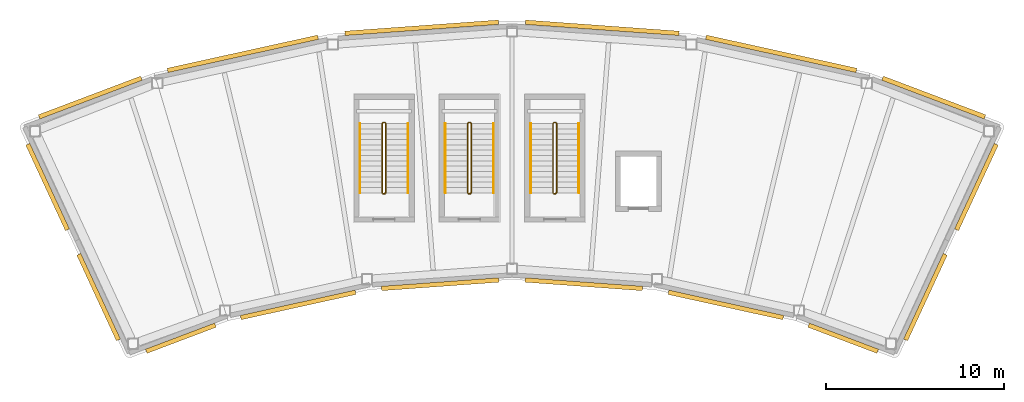
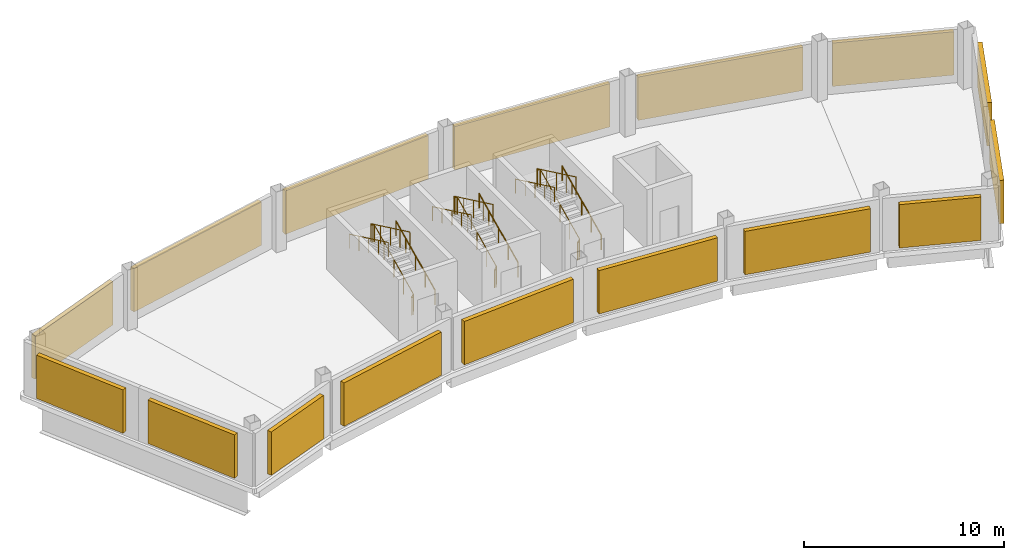
# One storey, part 3 of 3: 16 shading devices, 9 railings.
"""IFC4 building model written with IfcOpenShell, lengths in metres."""

from ifc_helpers import new_model, si_unit, direction, frame, origin, origin_2d, place, context, subcontext, project, spatial, rectangle, circle, extrude, material, type_object, element, save


model = new_model("IFC4")

# Units and contexts
model_context = context("Model", 3, precision=1e-05, world=origin(), true_north=direction((0.0, 1.0)))
body_context = subcontext(model_context, "Body", "Model", "MODEL_VIEW")
ifc_project = project(units=[si_unit("LENGTHUNIT", "METRE"), si_unit("AREAUNIT", "SQUARE_METRE"), si_unit("VOLUMEUNIT", "CUBIC_METRE"), si_unit("PLANEANGLEUNIT", "RADIAN"), si_unit("MASSUNIT", "GRAM", prefix="KILO")], contexts=[model_context])

# Site, building, storey
site_placement = place(None, origin())
site = spatial("IfcSite", under=ifc_project, at=site_placement, CompositionType="ELEMENT")
building_placement = place(site_placement, origin())
building = spatial("IfcBuilding", under=site, at=building_placement, Name="Tuul Gate Civic Tower", CompositionType="ELEMENT")
storey_placement = place(building_placement, frame((0.0, 0.0, 372.10009765625)))
storey = spatial("IfcBuildingStorey", under=building, at=storey_placement, Name="Crown tier 2 upper", CompositionType="ELEMENT", Elevation=372.10009765625)

# Shading devices
ifc_material_1 = material(Name="Aluminium louvre", Category="aluminium")
shading_device_type = type_object("IfcShadingDeviceType", Name="Louvre panel", PredefinedType="USERDEFINED", material=ifc_material_1)
shading_device_1_placement = place(storey_placement, frame((25.8916015625, 6.10498046875, 0.300048828125), z_axis=(0.0, 0.0, 1.0), x_axis=(0.353645993643, 0.935379340792, 0.0)))
element("IfcShadingDevice", 1, at=shading_device_1_placement, inside=storey, type_object=shading_device_type, Name="Louvre panel", ObjectType="LOUVRE", PredefinedType="USERDEFINED", context=body_context, shape_type="SweptSolid", body=[
    extrude(rectangle(XDim=0.25, YDim=6.14990234375, at=origin_2d()), origin(), (0.0, 0.0, 1.0), 2.64990234375),
])
for number, where, z_axis, x_axis, name in (
    (2, (17.31787109375, 8.5625, 0.300048828125), (0.0, 0.0, 1.0), (0.215210934562, 0.976567587853, 0.0), "Louvre panel"),
    (3, (7.26953125, 10.025634765625, 0.300048828125), (0.0, 0.0, 1.0), (0.072218938697, 0.997388803273, 0.0), "Louvre panel"),
    (4, (-2.885498046875, 10.025634765625, 0.300048828125), (0.0, 0.0, 1.0), (-0.072218938697, 0.997388803273, 0.0), "Louvre panel"),
    (5, (-12.933837890625, 8.5625, 0.300048828125), (0.0, 0.0, 1.0), (-0.215210934562, 0.976567587853, 0.0), "Louvre panel"),
):
    element("IfcShadingDevice", number, at=place(storey_placement, frame(where, z_axis=z_axis, x_axis=x_axis)), inside=storey, type_object=shading_device_type, Name=name, ObjectType="LOUVRE", PredefinedType="USERDEFINED", context=body_context, shape_type="SweptSolid", body=[
        extrude(rectangle(XDim=0.25, YDim=8.64990234375, at=origin_2d()), origin(), (0.0, 0.0, 1.0), 2.64990234375),
    ])
shading_device_2_placement = place(storey_placement, frame((-21.5078125, 6.10498046875, 0.300048828125), z_axis=(0.0, 0.0, 1.0), x_axis=(-0.353645993643, 0.935379340792, 0.0)))
element("IfcShadingDevice", 6, at=shading_device_2_placement, inside=storey, type_object=shading_device_type, Name="Louvre panel", ObjectType="LOUVRE", PredefinedType="USERDEFINED", context=body_context, shape_type="SweptSolid", body=[
    extrude(rectangle(XDim=0.25, YDim=6.14990234375, at=origin_2d()), origin(), (0.0, 0.0, 1.0), 2.64990234375),
])
for number, where, z_axis, x_axis, name in (
    (7, (-23.904296875, 1.076416015625, 0.300048828125), (0.0, 0.0, 1.0), (-0.90734881659, -0.420378549682, 0.0), "Louvre panel"),
    (8, (-21.038330078125, -5.109619140625, 0.300048828125), (0.0, 0.0, 1.0), (-0.90734881659, -0.420378549682, 0.0), "Louvre panel"),
):
    element("IfcShadingDevice", number, at=place(storey_placement, frame(where, z_axis=z_axis, x_axis=x_axis)), inside=storey, type_object=shading_device_type, Name=name, ObjectType="LOUVRE", PredefinedType="USERDEFINED", context=body_context, shape_type="SweptSolid", body=[
        extrude(rectangle(XDim=0.25, YDim=5.300048828125, at=origin_2d()), origin(), (0.0, 0.0, 1.0), 2.64990234375),
    ])
shading_device_3_placement = place(storey_placement, frame((-16.417236328125, -7.4189453125, 0.300048828125), z_axis=(0.0, 0.0, 1.0), x_axis=(0.353692000454, -0.935361945353, 0.0)))
element("IfcShadingDevice", 9, at=shading_device_3_placement, inside=storey, type_object=shading_device_type, Name="Louvre panel", ObjectType="LOUVRE", PredefinedType="USERDEFINED", context=body_context, shape_type="SweptSolid", body=[
    extrude(rectangle(XDim=0.25, YDim=4.14990234375, at=origin_2d()), origin(), (0.0, 0.0, 1.0), 2.64990234375),
])
for number, where, z_axis, x_axis, name in (
    (10, (-9.823974609375, -5.548583984375, 0.300048828125), (0.0, 0.0, 1.0), (0.215271253351, -0.976554293156, 0.0), "Louvre panel"),
    (11, (-1.841552734375, -4.38623046875, 0.300048828125), (0.0, 0.0, 1.0), (0.072167548057, -0.997392523036, 0.0), "Louvre panel"),
    (12, (6.2255859375, -4.38623046875, 0.300048828125), (0.0, 0.0, 1.0), (-0.072167548057, -0.997392523036, 0.0), "Louvre panel"),
    (13, (14.2080078125, -5.548583984375, 0.300048828125), (0.0, 0.0, 1.0), (-0.215271253351, -0.976554293156, 0.0), "Louvre panel"),
):
    element("IfcShadingDevice", number, at=place(storey_placement, frame(where, z_axis=z_axis, x_axis=x_axis)), inside=storey, type_object=shading_device_type, Name=name, ObjectType="LOUVRE", PredefinedType="USERDEFINED", context=body_context, shape_type="SweptSolid", body=[
        extrude(rectangle(XDim=0.25, YDim=6.60009765625, at=origin_2d()), origin(), (0.0, 0.0, 1.0), 2.64990234375),
    ])
shading_device_4_placement = place(storey_placement, frame((20.80126953125, -7.4189453125, 0.300048828125), z_axis=(0.0, 0.0, 1.0), x_axis=(-0.353692000454, -0.935361945353, 0.0)))
element("IfcShadingDevice", 14, at=shading_device_4_placement, inside=storey, type_object=shading_device_type, Name="Louvre panel", ObjectType="LOUVRE", PredefinedType="USERDEFINED", context=body_context, shape_type="SweptSolid", body=[
    extrude(rectangle(XDim=0.25, YDim=4.14990234375, at=origin_2d()), origin(), (0.0, 0.0, 1.0), 2.64990234375),
])
for number, where, z_axis, x_axis, name in (
    (15, (25.42236328125, -5.109619140625, 0.300048828125), (0.0, 0.0, 1.0), (0.90734881659, -0.420378549682, 0.0), "Louvre panel"),
    (16, (28.288330078125, 1.076416015625, 0.300048828125), (0.0, 0.0, 1.0), (0.90734881659, -0.420378549682, 0.0), "Louvre panel"),
):
    element("IfcShadingDevice", number, at=place(storey_placement, frame(where, z_axis=z_axis, x_axis=x_axis)), inside=storey, type_object=shading_device_type, Name=name, ObjectType="LOUVRE", PredefinedType="USERDEFINED", context=body_context, shape_type="SweptSolid", body=[
        extrude(rectangle(XDim=0.25, YDim=5.300048828125, at=origin_2d()), origin(), (0.0, 0.0, 1.0), 2.64990234375),
    ])

# Railings
ifc_material_2 = material(Name="Painted steel", Category="steel")
railing_type_1 = type_object("IfcRailingType", Name="Stair guard", PredefinedType="GUARDRAIL", material=ifc_material_2)
railing_1_placement = place(storey_placement, frame((-4.949951171875, 0.699951171875, 0.0)))
element("IfcRailing", 17, at=railing_1_placement, inside=storey, type_object=railing_type_1, Name="Crown tier 2 upper ST-5 stair guard 1", PredefinedType="GUARDRAIL", context=body_context, shape_type="SweptSolid", body=[
    extrude(circle(Radius=0.02392578125, at=origin_2d()), frame((0.0, 0.0, 1.076171875), z_axis=(-1.0, 0.0, 0.0), x_axis=(0.0, -1.0, 0.0)), (0.0, 0.0, 1.0), 0.10009765625),
    extrude(circle(Radius=0.02392578125, at=origin_2d()), frame((-0.10009765625, 0.0, 1.076171875), z_axis=(0.704307497325, 0.234769165775, 0.669951034041), x_axis=(-0.316227766017, 0.948683298051, 0.0)), (0.0, 0.0, 1.0), 0.213134765625),
    extrude(circle(Radius=0.02392578125, at=origin_2d()), frame((0.050048828125, 0.050048828125, 1.21875), z_axis=(0.0, 0.902853205547, 0.429948937937), x_axis=(-1.0, 0.0, 0.0)), (0.0, 0.0, 1.0), 4.319580078125),
    extrude(circle(Radius=0.02392578125, at=origin_2d()), frame((0.050048828125, 3.949951171875, 3.076171875), z_axis=(-0.707106781187, 0.707106781187, 0.0), x_axis=(-0.707106781187, -0.707106781187, 0.0)), (0.0, 0.0, 1.0), 0.07080078125),
    extrude(circle(Radius=0.02392578125, at=origin_2d()), frame((0.0, 4.0, 3.076171875), z_axis=(-1.0, 0.0, 0.0), x_axis=(0.0, -1.0, 0.0)), (0.0, 0.0, 1.0), 0.10009765625),
    extrude(circle(Radius=0.02392578125, at=origin_2d()), frame((-0.10009765625, 4.0, 3.076171875), z_axis=(-0.313985020601, -0.313985020601, 0.896006034397), x_axis=(0.707106781187, -0.707106781187, 0.0)), (0.0, 0.0, 1.0), 0.159423828125),
    extrude(circle(Radius=0.02392578125, at=origin_2d()), frame((-0.150146484375, 3.949951171875, 3.21875), z_axis=(0.0, -0.902853205547, 0.429948937937), x_axis=(1.0, 0.0, 0.0)), (0.0, 0.0, 1.0), 4.319580078125),
    extrude(circle(Radius=0.02099609375, at=origin_2d()), origin(), (0.0, 0.0, 1.0), 1.052001953125),
    extrude(circle(Radius=0.02099609375, at=origin_2d()), frame((-0.10009765625, 0.0, 0.0)), (0.0, 0.0, 1.0), 1.052001953125),
    extrude(circle(Radius=0.02099609375, at=origin_2d()), frame((0.050048828125, 0.050048828125, 0.142822265625)), (0.0, 0.0, 1.0), 1.052001953125),
    extrude(circle(Radius=0.02099609375, at=origin_2d()), frame((0.050048828125, 1.02490234375, 0.607177734375)), (0.0, 0.0, 1.0), 1.052001953125),
    extrude(circle(Radius=0.02099609375, at=origin_2d()), frame((0.050048828125, 2.0, 1.0712890625)), (0.0, 0.0, 1.0), 1.052001953125),
    extrude(circle(Radius=0.02099609375, at=origin_2d()), frame((0.050048828125, 2.97509765625, 1.53564453125)), (0.0, 0.0, 1.0), 1.052001953125),
    extrude(circle(Radius=0.02099609375, at=origin_2d()), frame((0.050048828125, 3.949951171875, 2.0)), (0.0, 0.0, 1.0), 1.052001953125),
    extrude(circle(Radius=0.02099609375, at=origin_2d()), frame((0.0, 4.0, 2.0)), (0.0, 0.0, 1.0), 1.052001953125),
    extrude(circle(Radius=0.02099609375, at=origin_2d()), frame((-0.10009765625, 4.0, 2.0)), (0.0, 0.0, 1.0), 1.052001953125),
    extrude(circle(Radius=0.02099609375, at=origin_2d()), frame((-0.150146484375, 3.949951171875, 2.142822265625)), (0.0, 0.0, 1.0), 1.052001953125),
    extrude(circle(Radius=0.02099609375, at=origin_2d()), frame((-0.150146484375, 2.97509765625, 2.607177734375)), (0.0, 0.0, 1.0), 1.052001953125),
    extrude(circle(Radius=0.02099609375, at=origin_2d()), frame((-0.150146484375, 2.0, 3.0712890625)), (0.0, 0.0, 1.0), 1.052001953125),
    extrude(circle(Radius=0.02099609375, at=origin_2d()), frame((-0.150146484375, 1.02490234375, 3.53564453125)), (0.0, 0.0, 1.0), 1.052001953125),
    extrude(circle(Radius=0.02099609375, at=origin_2d()), frame((-0.150146484375, 0.050048828125, 4.0)), (0.0, 0.0, 1.0), 1.052001953125),
])
railing_2_placement = place(storey_placement, frame((-0.14990234375, 0.699951171875, 0.0)))
element("IfcRailing", 18, at=railing_2_placement, inside=storey, type_object=railing_type_1, Name="Crown tier 2 upper ST-6 stair guard 1", PredefinedType="GUARDRAIL", context=body_context, shape_type="SweptSolid", body=[
    extrude(circle(Radius=0.02392578125, at=origin_2d()), frame((0.0, 0.0, 1.076171875), z_axis=(-1.0, 0.0, 0.0), x_axis=(0.0, -1.0, 0.0)), (0.0, 0.0, 1.0), 0.10009765625),
    extrude(circle(Radius=0.02392578125, at=origin_2d()), frame((-0.10009765625, 0.0, 1.076171875), z_axis=(0.703729666097, 0.234958601873, 0.670491619978), x_axis=(-0.316691178788, 0.948528701346, 0.0)), (0.0, 0.0, 1.0), 0.212890625),
    extrude(circle(Radius=0.02392578125, at=origin_2d()), frame((0.0498046875, 0.050048828125, 1.21875), z_axis=(0.0, 0.902853205547, 0.429948937937), x_axis=(-1.0, 0.0, 0.0)), (0.0, 0.0, 1.0), 4.319580078125),
    extrude(circle(Radius=0.02392578125, at=origin_2d()), frame((0.0498046875, 3.949951171875, 3.076171875), z_axis=(-0.705375805398, 0.708833529934, 0.0), x_axis=(-0.708833529934, -0.705375805398, 0.0)), (0.0, 0.0, 1.0), 0.070556640625),
    extrude(circle(Radius=0.02392578125, at=origin_2d()), frame((0.0, 4.0, 3.076171875), z_axis=(-1.0, 0.0, 0.0), x_axis=(0.0, -1.0, 0.0)), (0.0, 0.0, 1.0), 0.10009765625),
    extrude(circle(Radius=0.02392578125, at=origin_2d()), frame((-0.10009765625, 4.0, 3.076171875), z_axis=(-0.313985020601, -0.313985020601, 0.896006034397), x_axis=(0.707106781187, -0.707106781187, 0.0)), (0.0, 0.0, 1.0), 0.159423828125),
    extrude(circle(Radius=0.02392578125, at=origin_2d()), frame((-0.150146484375, 3.949951171875, 3.21875), z_axis=(0.0, -0.902853205547, 0.429948937937), x_axis=(1.0, 0.0, 0.0)), (0.0, 0.0, 1.0), 4.319580078125),
    extrude(circle(Radius=0.02099609375, at=origin_2d()), origin(), (0.0, 0.0, 1.0), 1.052001953125),
    extrude(circle(Radius=0.02099609375, at=origin_2d()), frame((-0.10009765625, 0.0, 0.0)), (0.0, 0.0, 1.0), 1.052001953125),
    extrude(circle(Radius=0.02099609375, at=origin_2d()), frame((0.0498046875, 0.050048828125, 0.142822265625)), (0.0, 0.0, 1.0), 1.052001953125),
    extrude(circle(Radius=0.02099609375, at=origin_2d()), frame((0.0498046875, 1.02490234375, 0.607177734375)), (0.0, 0.0, 1.0), 1.052001953125),
    extrude(circle(Radius=0.02099609375, at=origin_2d()), frame((0.0498046875, 2.0, 1.0712890625)), (0.0, 0.0, 1.0), 1.052001953125),
    extrude(circle(Radius=0.02099609375, at=origin_2d()), frame((0.0498046875, 2.97509765625, 1.53564453125)), (0.0, 0.0, 1.0), 1.052001953125),
    extrude(circle(Radius=0.02099609375, at=origin_2d()), frame((0.0498046875, 3.949951171875, 2.0)), (0.0, 0.0, 1.0), 1.052001953125),
    extrude(circle(Radius=0.02099609375, at=origin_2d()), frame((0.0, 4.0, 2.0)), (0.0, 0.0, 1.0), 1.052001953125),
    extrude(circle(Radius=0.02099609375, at=origin_2d()), frame((-0.10009765625, 4.0, 2.0)), (0.0, 0.0, 1.0), 1.052001953125),
    extrude(circle(Radius=0.02099609375, at=origin_2d()), frame((-0.150146484375, 3.949951171875, 2.142822265625)), (0.0, 0.0, 1.0), 1.052001953125),
    extrude(circle(Radius=0.02099609375, at=origin_2d()), frame((-0.150146484375, 2.97509765625, 2.607177734375)), (0.0, 0.0, 1.0), 1.052001953125),
    extrude(circle(Radius=0.02099609375, at=origin_2d()), frame((-0.150146484375, 2.0, 3.0712890625)), (0.0, 0.0, 1.0), 1.052001953125),
    extrude(circle(Radius=0.02099609375, at=origin_2d()), frame((-0.150146484375, 1.02490234375, 3.53564453125)), (0.0, 0.0, 1.0), 1.052001953125),
    extrude(circle(Radius=0.02099609375, at=origin_2d()), frame((-0.150146484375, 0.050048828125, 4.0)), (0.0, 0.0, 1.0), 1.052001953125),
])
railing_3_placement = place(storey_placement, frame((4.64990234375, 0.699951171875, 0.0)))
element("IfcRailing", 19, at=railing_3_placement, inside=storey, type_object=railing_type_1, Name="Crown tier 2 upper ST-7 stair guard 1", PredefinedType="GUARDRAIL", context=body_context, shape_type="SweptSolid", body=[
    extrude(circle(Radius=0.02392578125, at=origin_2d()), frame((0.0, 0.0, 1.076171875), z_axis=(-1.0, 0.0, 0.0), x_axis=(0.0, -1.0, 0.0)), (0.0, 0.0, 1.0), 0.099853515625),
    extrude(circle(Radius=0.02392578125, at=origin_2d()), frame((-0.099853515625, 0.0, 1.076171875), z_axis=(0.703729666097, 0.234958601873, 0.670491619978), x_axis=(-0.316691178788, 0.948528701346, 0.0)), (0.0, 0.0, 1.0), 0.212890625),
    extrude(circle(Radius=0.02392578125, at=origin_2d()), frame((0.050048828125, 0.050048828125, 1.21875), z_axis=(0.0, 0.902853205547, 0.429948937937), x_axis=(-1.0, 0.0, 0.0)), (0.0, 0.0, 1.0), 4.319580078125),
    extrude(circle(Radius=0.02392578125, at=origin_2d()), frame((0.050048828125, 3.949951171875, 3.076171875), z_axis=(-0.707106781187, 0.707106781187, 0.0), x_axis=(-0.707106781187, -0.707106781187, 0.0)), (0.0, 0.0, 1.0), 0.07080078125),
    extrude(circle(Radius=0.02392578125, at=origin_2d()), frame((0.0, 4.0, 3.076171875), z_axis=(-1.0, 0.0, 0.0), x_axis=(0.0, -1.0, 0.0)), (0.0, 0.0, 1.0), 0.099853515625),
    extrude(circle(Radius=0.02392578125, at=origin_2d()), frame((-0.099853515625, 4.0, 3.076171875), z_axis=(-0.313985020601, -0.313985020601, 0.896006034397), x_axis=(0.707106781187, -0.707106781187, 0.0)), (0.0, 0.0, 1.0), 0.159423828125),
    extrude(circle(Radius=0.02392578125, at=origin_2d()), frame((-0.14990234375, 3.949951171875, 3.21875), z_axis=(0.0, -0.902853205547, 0.429948937937), x_axis=(1.0, 0.0, 0.0)), (0.0, 0.0, 1.0), 4.319580078125),
    extrude(circle(Radius=0.02099609375, at=origin_2d()), origin(), (0.0, 0.0, 1.0), 1.052001953125),
    extrude(circle(Radius=0.02099609375, at=origin_2d()), frame((-0.099853515625, 0.0, 0.0)), (0.0, 0.0, 1.0), 1.052001953125),
    extrude(circle(Radius=0.02099609375, at=origin_2d()), frame((0.050048828125, 0.050048828125, 0.142822265625)), (0.0, 0.0, 1.0), 1.052001953125),
    extrude(circle(Radius=0.02099609375, at=origin_2d()), frame((0.050048828125, 1.02490234375, 0.607177734375)), (0.0, 0.0, 1.0), 1.052001953125),
    extrude(circle(Radius=0.02099609375, at=origin_2d()), frame((0.050048828125, 2.0, 1.0712890625)), (0.0, 0.0, 1.0), 1.052001953125),
    extrude(circle(Radius=0.02099609375, at=origin_2d()), frame((0.050048828125, 2.97509765625, 1.53564453125)), (0.0, 0.0, 1.0), 1.052001953125),
    extrude(circle(Radius=0.02099609375, at=origin_2d()), frame((0.050048828125, 3.949951171875, 2.0)), (0.0, 0.0, 1.0), 1.052001953125),
    extrude(circle(Radius=0.02099609375, at=origin_2d()), frame((0.0, 4.0, 2.0)), (0.0, 0.0, 1.0), 1.052001953125),
    extrude(circle(Radius=0.02099609375, at=origin_2d()), frame((-0.099853515625, 4.0, 2.0)), (0.0, 0.0, 1.0), 1.052001953125),
    extrude(circle(Radius=0.02099609375, at=origin_2d()), frame((-0.14990234375, 3.949951171875, 2.142822265625)), (0.0, 0.0, 1.0), 1.052001953125),
    extrude(circle(Radius=0.02099609375, at=origin_2d()), frame((-0.14990234375, 2.97509765625, 2.607177734375)), (0.0, 0.0, 1.0), 1.052001953125),
    extrude(circle(Radius=0.02099609375, at=origin_2d()), frame((-0.14990234375, 2.0, 3.0712890625)), (0.0, 0.0, 1.0), 1.052001953125),
    extrude(circle(Radius=0.02099609375, at=origin_2d()), frame((-0.14990234375, 1.02490234375, 3.53564453125)), (0.0, 0.0, 1.0), 1.052001953125),
    extrude(circle(Radius=0.02099609375, at=origin_2d()), frame((-0.14990234375, 0.050048828125, 4.0)), (0.0, 0.0, 1.0), 1.052001953125),
])
ifc_material_3 = material(Name="Painted steel", Category="steel")
railing_type_2 = type_object("IfcRailingType", Name="Stair handrail", PredefinedType="HANDRAIL", material=ifc_material_3)
railing_4_placement = place(storey_placement, frame((-3.64990234375, 0.75, 0.142822265625)))
element("IfcRailing", 20, at=railing_4_placement, inside=storey, type_object=railing_type_2, Name="Crown tier 2 upper ST-5 stair handrail 1", PredefinedType="HANDRAIL", context=body_context, shape_type="SweptSolid", body=[
    extrude(circle(Radius=0.02392578125, at=origin_2d()), frame((0.0, 0.0, 0.8759765625), z_axis=(0.0, 0.902853205547, 0.429948937937), x_axis=(-1.0, 0.0, 0.0)), (0.0, 0.0, 1.0), 4.319580078125),
    extrude(circle(Radius=0.02099609375, at=origin_2d()), origin(), (0.0, 0.0, 1.0), 0.851806640625),
    extrude(circle(Radius=0.02099609375, at=origin_2d()), frame((0.0, 0.97509765625, 0.46435546875)), (0.0, 0.0, 1.0), 0.851806640625),
    extrude(circle(Radius=0.02099609375, at=origin_2d()), frame((0.0, 1.949951171875, 0.9287109375)), (0.0, 0.0, 1.0), 0.851806640625),
    extrude(circle(Radius=0.02099609375, at=origin_2d()), frame((0.0, 2.9248046875, 1.392822265625)), (0.0, 0.0, 1.0), 0.851806640625),
    extrude(circle(Radius=0.02099609375, at=origin_2d()), frame((0.0, 3.89990234375, 1.857177734375)), (0.0, 0.0, 1.0), 0.851806640625),
])
railing_5_placement = place(storey_placement, frame((-6.35009765625, 4.64990234375, 2.142822265625)))
element("IfcRailing", 21, at=railing_5_placement, inside=storey, type_object=railing_type_2, Name="Crown tier 2 upper ST-5 stair handrail 2", PredefinedType="HANDRAIL", context=body_context, shape_type="SweptSolid", body=[
    extrude(circle(Radius=0.02392578125, at=origin_2d()), frame((0.0, 0.0, 0.8759765625), z_axis=(0.0, -0.902853205547, 0.429948937937), x_axis=(1.0, 0.0, 0.0)), (0.0, 0.0, 1.0), 4.319580078125),
    extrude(circle(Radius=0.02099609375, at=origin_2d()), origin(), (0.0, 0.0, 1.0), 0.851806640625),
    extrude(circle(Radius=0.02099609375, at=origin_2d()), frame((0.0, -0.97509765625, 0.46435546875)), (0.0, 0.0, 1.0), 0.851806640625),
    extrude(circle(Radius=0.02099609375, at=origin_2d()), frame((0.0, -1.949951171875, 0.9287109375)), (0.0, 0.0, 1.0), 0.851806640625),
    extrude(circle(Radius=0.02099609375, at=origin_2d()), frame((0.0, -2.9248046875, 1.392822265625)), (0.0, 0.0, 1.0), 0.851806640625),
    extrude(circle(Radius=0.02099609375, at=origin_2d()), frame((0.0, -3.89990234375, 1.857177734375)), (0.0, 0.0, 1.0), 0.851806640625),
])
railing_6_placement = place(storey_placement, frame((1.14990234375, 0.75, 0.142822265625)))
element("IfcRailing", 22, at=railing_6_placement, inside=storey, type_object=railing_type_2, Name="Crown tier 2 upper ST-6 stair handrail 1", PredefinedType="HANDRAIL", context=body_context, shape_type="SweptSolid", body=[
    extrude(circle(Radius=0.02392578125, at=origin_2d()), frame((0.0, 0.0, 0.8759765625), z_axis=(0.0, 0.902853205547, 0.429948937937), x_axis=(-1.0, 0.0, 0.0)), (0.0, 0.0, 1.0), 4.319580078125),
    extrude(circle(Radius=0.02099609375, at=origin_2d()), origin(), (0.0, 0.0, 1.0), 0.851806640625),
    extrude(circle(Radius=0.02099609375, at=origin_2d()), frame((0.0, 0.97509765625, 0.46435546875)), (0.0, 0.0, 1.0), 0.851806640625),
    extrude(circle(Radius=0.02099609375, at=origin_2d()), frame((0.0, 1.949951171875, 0.9287109375)), (0.0, 0.0, 1.0), 0.851806640625),
    extrude(circle(Radius=0.02099609375, at=origin_2d()), frame((0.0, 2.9248046875, 1.392822265625)), (0.0, 0.0, 1.0), 0.851806640625),
    extrude(circle(Radius=0.02099609375, at=origin_2d()), frame((0.0, 3.89990234375, 1.857177734375)), (0.0, 0.0, 1.0), 0.851806640625),
])
railing_7_placement = place(storey_placement, frame((-1.550048828125, 4.64990234375, 2.142822265625)))
element("IfcRailing", 23, at=railing_7_placement, inside=storey, type_object=railing_type_2, Name="Crown tier 2 upper ST-6 stair handrail 2", PredefinedType="HANDRAIL", context=body_context, shape_type="SweptSolid", body=[
    extrude(circle(Radius=0.02392578125, at=origin_2d()), frame((0.0, 0.0, 0.8759765625), z_axis=(0.0, -0.902853205547, 0.429948937937), x_axis=(1.0, 0.0, 0.0)), (0.0, 0.0, 1.0), 4.319580078125),
    extrude(circle(Radius=0.02099609375, at=origin_2d()), origin(), (0.0, 0.0, 1.0), 0.851806640625),
    extrude(circle(Radius=0.02099609375, at=origin_2d()), frame((0.0, -0.97509765625, 0.46435546875)), (0.0, 0.0, 1.0), 0.851806640625),
    extrude(circle(Radius=0.02099609375, at=origin_2d()), frame((0.0, -1.949951171875, 0.9287109375)), (0.0, 0.0, 1.0), 0.851806640625),
    extrude(circle(Radius=0.02099609375, at=origin_2d()), frame((0.0, -2.9248046875, 1.392822265625)), (0.0, 0.0, 1.0), 0.851806640625),
    extrude(circle(Radius=0.02099609375, at=origin_2d()), frame((0.0, -3.89990234375, 1.857177734375)), (0.0, 0.0, 1.0), 0.851806640625),
])
railing_8_placement = place(storey_placement, frame((5.949951171875, 0.75, 0.142822265625)))
element("IfcRailing", 24, at=railing_8_placement, inside=storey, type_object=railing_type_2, Name="Crown tier 2 upper ST-7 stair handrail 1", PredefinedType="HANDRAIL", context=body_context, shape_type="SweptSolid", body=[
    extrude(circle(Radius=0.02392578125, at=origin_2d()), frame((0.0, 0.0, 0.8759765625), z_axis=(0.0, 0.902853205547, 0.429948937937), x_axis=(-1.0, 0.0, 0.0)), (0.0, 0.0, 1.0), 4.319580078125),
    extrude(circle(Radius=0.02099609375, at=origin_2d()), origin(), (0.0, 0.0, 1.0), 0.851806640625),
    extrude(circle(Radius=0.02099609375, at=origin_2d()), frame((0.0, 0.97509765625, 0.46435546875)), (0.0, 0.0, 1.0), 0.851806640625),
    extrude(circle(Radius=0.02099609375, at=origin_2d()), frame((0.0, 1.949951171875, 0.9287109375)), (0.0, 0.0, 1.0), 0.851806640625),
    extrude(circle(Radius=0.02099609375, at=origin_2d()), frame((0.0, 2.9248046875, 1.392822265625)), (0.0, 0.0, 1.0), 0.851806640625),
    extrude(circle(Radius=0.02099609375, at=origin_2d()), frame((0.0, 3.89990234375, 1.857177734375)), (0.0, 0.0, 1.0), 0.851806640625),
])
railing_9_placement = place(storey_placement, frame((3.25, 4.64990234375, 2.142822265625)))
element("IfcRailing", 25, at=railing_9_placement, inside=storey, type_object=railing_type_2, Name="Crown tier 2 upper ST-7 stair handrail 2", PredefinedType="HANDRAIL", context=body_context, shape_type="SweptSolid", body=[
    extrude(circle(Radius=0.02392578125, at=origin_2d()), frame((0.0, 0.0, 0.8759765625), z_axis=(0.0, -0.902853205547, 0.429948937937), x_axis=(1.0, 0.0, 0.0)), (0.0, 0.0, 1.0), 4.319580078125),
    extrude(circle(Radius=0.02099609375, at=origin_2d()), origin(), (0.0, 0.0, 1.0), 0.851806640625),
    extrude(circle(Radius=0.02099609375, at=origin_2d()), frame((0.0, -0.97509765625, 0.46435546875)), (0.0, 0.0, 1.0), 0.851806640625),
    extrude(circle(Radius=0.02099609375, at=origin_2d()), frame((0.0, -1.949951171875, 0.9287109375)), (0.0, 0.0, 1.0), 0.851806640625),
    extrude(circle(Radius=0.02099609375, at=origin_2d()), frame((0.0, -2.9248046875, 1.392822265625)), (0.0, 0.0, 1.0), 0.851806640625),
    extrude(circle(Radius=0.02099609375, at=origin_2d()), frame((0.0, -3.89990234375, 1.857177734375)), (0.0, 0.0, 1.0), 0.851806640625),
])

save(model, "model.ifc")
